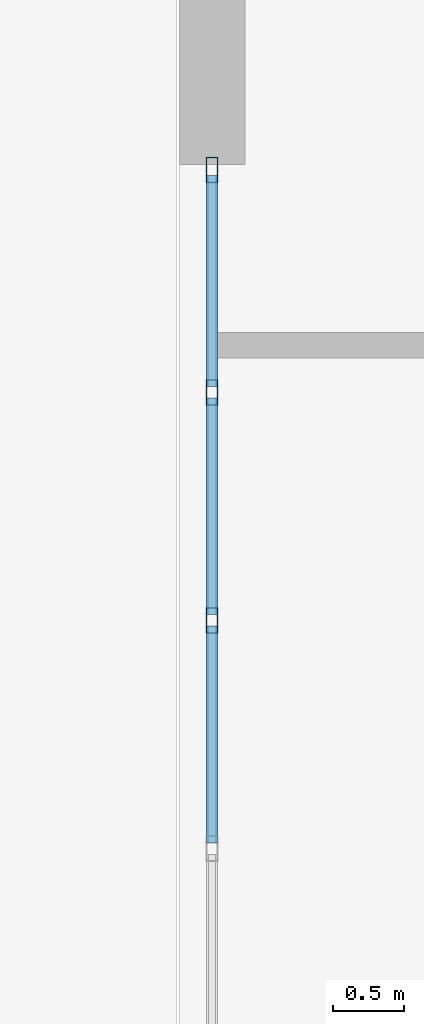
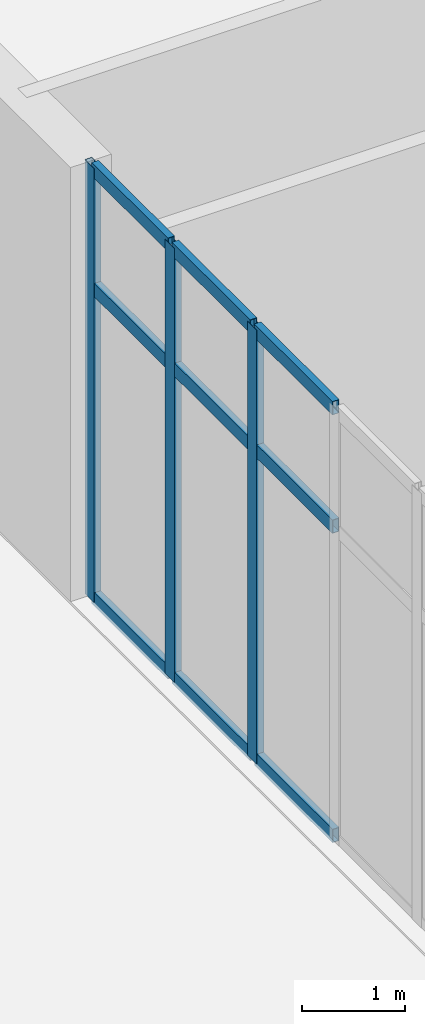
# One storey, part 9 of 30: 12 members, 1 element without a shape of its own.
"""IFC4 building model written with IfcOpenShell, lengths in metres."""

from ifc_helpers import new_model, si_unit, direction, frame, origin, origin_2d, place, context, subcontext, project, spatial, hollow_rectangle, extrude, source, transform, mapped, material, layer, layer_set, material_profile, profile_set, type_object, element, aggregate, save


model = new_model("IFC4")

# Units and contexts
model_context = context("Model", 3, precision=1e-05, world=origin(), true_north=direction((0.0, 1.0)))
body_context = subcontext(model_context, "Body", "Model", "MODEL_VIEW")
ifc_project = project(units=[si_unit("LENGTHUNIT", "METRE"), si_unit("AREAUNIT", "SQUARE_METRE"), si_unit("VOLUMEUNIT", "CUBIC_METRE"), si_unit("PLANEANGLEUNIT", "RADIAN"), si_unit("MASSUNIT", "GRAM", prefix="KILO")], contexts=[model_context])

# Site, building, storey
site_placement = place(None, origin())
site = spatial("IfcSite", under=ifc_project, at=site_placement, CompositionType="ELEMENT")
building_placement = place(site_placement, origin())
building = spatial("IfcBuilding", under=site, at=building_placement, Name="Liaohun Quay Tower", CompositionType="ELEMENT")
storey_placement = place(building_placement, origin())
storey = spatial("IfcBuildingStorey", under=building, at=storey_placement, Name="L01", CompositionType="ELEMENT", Elevation=0.0)

# Curtain wall, members
ifc_material_1 = material(Name="Thermally broken podium arcade storefront curtain wall")
ifc_layer = layer(ifc_material_1, 0.179931640625, Name="Thermally broken podium arcade storefront curtain wall")
ifc_layer_set = layer_set([ifc_layer], Name="Thermally broken podium arcade storefront curtain wall")
curtain_wall_type = type_object("IfcCurtainWallType", Name="CW-POD-RET", PredefinedType="NOTDEFINED", material=ifc_layer_set)
curtain_wall_placement = place(storey_placement, origin())
curtain_wall = element("IfcCurtainWall", 1, at=curtain_wall_placement, inside=storey, type_object=curtain_wall_type, Name="L01 Podium Arcade Storefront CW2-W2", PredefinedType="NOTDEFINED")
ifc_material_2 = material(Name="Anodised aluminium 6063-T6", Category="aluminium")
ifc_material_profile_1 = material_profile(ifc_material_2, hollow_rectangle(XDim=0.080078125, YDim=0.179931640625, WallThickness=0.0048828125, at=origin_2d()), Name="RHS180x80x5")
ifc_profile_set_1 = profile_set([ifc_material_profile_1], Name="Anodised aluminium 6063-T6")
member_type_1 = type_object("IfcMemberType", Name="MEM-CWM-POD", PredefinedType="MULLION", material=ifc_profile_set_1)
shared_shape_1 = source(origin(), body_context, "Body", "SweptSolid", [
    extrude(hollow_rectangle(XDim=0.080078125, YDim=0.179931640625, WallThickness=0.0048828125, at=origin_2d()), origin(), (0.0, 0.0, 1.0), 5.14990234375),
])
member_1_placement = place(storey_placement, frame((15.22998046875, 44.72998046875, 0.0), z_axis=(0.0, 0.0, 1.0), x_axis=(1.0, 0.0, 0.0)))
member_1 = element("IfcMember", 2, at=member_1_placement, type_object=member_type_1, Name="CW2 mullion 1", PredefinedType="MULLION", context=body_context, shape_type="MappedRepresentation", body=[
    mapped(shared_shape_1, transform((0.0, 0.0, 0.0), x_axis=(1.0, 0.0, 0.0), y_axis=(0.0, 1.0, 0.0), z_axis=(0.0, 0.0, 1.0), scale=1.0)),
])
member_2_placement = place(storey_placement, frame((15.22998046875, 43.169921875, 0.0), z_axis=(0.0, 0.0, 1.0), x_axis=(1.0, 0.0, 0.0)))
member_2 = element("IfcMember", 3, at=member_2_placement, type_object=member_type_1, Name="CW2 mullion 2", PredefinedType="MULLION", context=body_context, shape_type="MappedRepresentation", body=[
    mapped(shared_shape_1, transform((0.0, 0.0, 0.0), x_axis=(1.0, 0.0, 0.0), y_axis=(0.0, 1.0, 0.0), z_axis=(0.0, 0.0, 1.0), scale=1.0)),
])
member_3_placement = place(storey_placement, frame((15.22998046875, 41.570068359375, 0.0), z_axis=(0.0, 0.0, 1.0), x_axis=(1.0, 0.0, 0.0)))
member_3 = element("IfcMember", 4, at=member_3_placement, type_object=member_type_1, Name="CW2 mullion 3", PredefinedType="MULLION", context=body_context, shape_type="MappedRepresentation", body=[
    mapped(shared_shape_1, transform((0.0, 0.0, 0.0), x_axis=(1.0, 0.0, 0.0), y_axis=(0.0, 1.0, 0.0), z_axis=(0.0, 0.0, 1.0), scale=1.0)),
])
ifc_material_profile_2 = material_profile(ifc_material_2, hollow_rectangle(XDim=0.074951171875, YDim=0.159912109375, WallThickness=0.0048828125, at=origin_2d()), Name="RHS160x75x5")
ifc_profile_set_2 = profile_set([ifc_material_profile_2], Name="Anodised aluminium 6063-T6")
member_type_2 = type_object("IfcMemberType", Name="MEM-CWT-POD", PredefinedType="USERDEFINED", material=ifc_profile_set_2)
shared_shape_2 = source(origin(), body_context, "Body", "SweptSolid", [
    extrude(hollow_rectangle(XDim=0.074951171875, YDim=0.159912109375, WallThickness=0.0048828125, at=origin_2d()), origin(), (0.0, 0.0, 1.0), 1.47998046875),
])
member_4_placement = place(storey_placement, frame((15.22998046875, 44.68994140625, 0.03759765625), z_axis=(0.0, -1.0, 0.0), x_axis=(1.0, 0.0, 0.0)))
member_4 = element("IfcMember", 5, at=member_4_placement, type_object=member_type_2, Name="CW2 transom 1.1", ObjectType="TRANSOM", PredefinedType="USERDEFINED", context=body_context, shape_type="MappedRepresentation", body=[
    mapped(shared_shape_2, transform((0.0, 0.0, 0.0), x_axis=(1.0, 0.0, 0.0), y_axis=(0.0, 1.0, 0.0), z_axis=(0.0, 0.0, 1.0), scale=1.0)),
])
member_5_placement = place(storey_placement, frame((15.22998046875, 44.68994140625, 3.7080078125), z_axis=(0.0, -1.0, 0.0), x_axis=(1.0, 0.0, 0.0)))
member_5 = element("IfcMember", 6, at=member_5_placement, type_object=member_type_2, Name="CW2 transom 1.2", ObjectType="TRANSOM", PredefinedType="USERDEFINED", context=body_context, shape_type="MappedRepresentation", body=[
    mapped(shared_shape_2, transform((0.0, 0.0, 0.0), x_axis=(1.0, 0.0, 0.0), y_axis=(0.0, 1.0, 0.0), z_axis=(0.0, 0.0, 1.0), scale=1.0)),
])
member_6_placement = place(storey_placement, frame((15.22998046875, 44.68994140625, 5.112548828125), z_axis=(0.0, -1.0, 0.0), x_axis=(1.0, 0.0, 0.0)))
member_6 = element("IfcMember", 7, at=member_6_placement, type_object=member_type_2, Name="CW2 transom 1.3", ObjectType="TRANSOM", PredefinedType="USERDEFINED", context=body_context, shape_type="MappedRepresentation", body=[
    mapped(shared_shape_2, transform((0.0, 0.0, 0.0), x_axis=(1.0, 0.0, 0.0), y_axis=(0.0, 1.0, 0.0), z_axis=(0.0, 0.0, 1.0), scale=1.0)),
])
shared_shape_3 = source(origin(), body_context, "Body", "SweptSolid", [
    extrude(hollow_rectangle(XDim=0.074951171875, YDim=0.159912109375, WallThickness=0.0048828125, at=origin_2d()), origin(), (0.0, 0.0, 1.0), 1.519775390625),
])
member_7_placement = place(storey_placement, frame((15.22998046875, 43.1298828125, 0.03759765625), z_axis=(0.0, -1.0, 0.0), x_axis=(1.0, 0.0, 0.0)))
member_7 = element("IfcMember", 8, at=member_7_placement, type_object=member_type_2, Name="CW2 transom 2.1", ObjectType="TRANSOM", PredefinedType="USERDEFINED", context=body_context, shape_type="MappedRepresentation", body=[
    mapped(shared_shape_3, transform((0.0, 0.0, 0.0), x_axis=(1.0, 0.0, 0.0), y_axis=(0.0, 1.0, 0.0), z_axis=(0.0, 0.0, 1.0), scale=1.0)),
])
member_8_placement = place(storey_placement, frame((15.22998046875, 43.1298828125, 3.7080078125), z_axis=(0.0, -1.0, 0.0), x_axis=(1.0, 0.0, 0.0)))
member_8 = element("IfcMember", 9, at=member_8_placement, type_object=member_type_2, Name="CW2 transom 2.2", ObjectType="TRANSOM", PredefinedType="USERDEFINED", context=body_context, shape_type="MappedRepresentation", body=[
    mapped(shared_shape_3, transform((0.0, 0.0, 0.0), x_axis=(1.0, 0.0, 0.0), y_axis=(0.0, 1.0, 0.0), z_axis=(0.0, 0.0, 1.0), scale=1.0)),
])
member_9_placement = place(storey_placement, frame((15.22998046875, 43.1298828125, 5.112548828125), z_axis=(0.0, -1.0, 0.0), x_axis=(1.0, 0.0, 0.0)))
member_9 = element("IfcMember", 10, at=member_9_placement, type_object=member_type_2, Name="CW2 transom 2.3", ObjectType="TRANSOM", PredefinedType="USERDEFINED", context=body_context, shape_type="MappedRepresentation", body=[
    mapped(shared_shape_3, transform((0.0, 0.0, 0.0), x_axis=(1.0, 0.0, 0.0), y_axis=(0.0, 1.0, 0.0), z_axis=(0.0, 0.0, 1.0), scale=1.0)),
])
shared_shape_4 = source(origin(), body_context, "Body", "SweptSolid", [
    extrude(hollow_rectangle(XDim=0.074951171875, YDim=0.159912109375, WallThickness=0.0048828125, at=origin_2d()), origin(), (0.0, 0.0, 1.0), 1.52001953125),
])
member_10_placement = place(storey_placement, frame((15.22998046875, 41.530029296875, 0.03759765625), z_axis=(0.0, -1.0, 0.0), x_axis=(1.0, 0.0, 0.0)))
member_10 = element("IfcMember", 11, at=member_10_placement, type_object=member_type_2, Name="CW2 transom 3.1", ObjectType="TRANSOM", PredefinedType="USERDEFINED", context=body_context, shape_type="MappedRepresentation", body=[
    mapped(shared_shape_4, transform((0.0, 0.0, 0.0), x_axis=(1.0, 0.0, 0.0), y_axis=(0.0, 1.0, 0.0), z_axis=(0.0, 0.0, 1.0), scale=1.0)),
])
member_11_placement = place(storey_placement, frame((15.22998046875, 41.530029296875, 3.7080078125), z_axis=(0.0, -1.0, 0.0), x_axis=(1.0, 0.0, 0.0)))
member_11 = element("IfcMember", 12, at=member_11_placement, type_object=member_type_2, Name="CW2 transom 3.2", ObjectType="TRANSOM", PredefinedType="USERDEFINED", context=body_context, shape_type="MappedRepresentation", body=[
    mapped(shared_shape_4, transform((0.0, 0.0, 0.0), x_axis=(1.0, 0.0, 0.0), y_axis=(0.0, 1.0, 0.0), z_axis=(0.0, 0.0, 1.0), scale=1.0)),
])
member_12_placement = place(storey_placement, frame((15.22998046875, 41.530029296875, 5.112548828125), z_axis=(0.0, -1.0, 0.0), x_axis=(1.0, 0.0, 0.0)))
member_12 = element("IfcMember", 13, at=member_12_placement, type_object=member_type_2, Name="CW2 transom 3.3", ObjectType="TRANSOM", PredefinedType="USERDEFINED", context=body_context, shape_type="MappedRepresentation", body=[
    mapped(shared_shape_4, transform((0.0, 0.0, 0.0), x_axis=(1.0, 0.0, 0.0), y_axis=(0.0, 1.0, 0.0), z_axis=(0.0, 0.0, 1.0), scale=1.0)),
])
aggregate(curtain_wall, [member_1, member_2, member_3, member_4, member_5, member_6, member_7, member_8, member_9, member_10, member_11, member_12])

save(model, "model.ifc")
